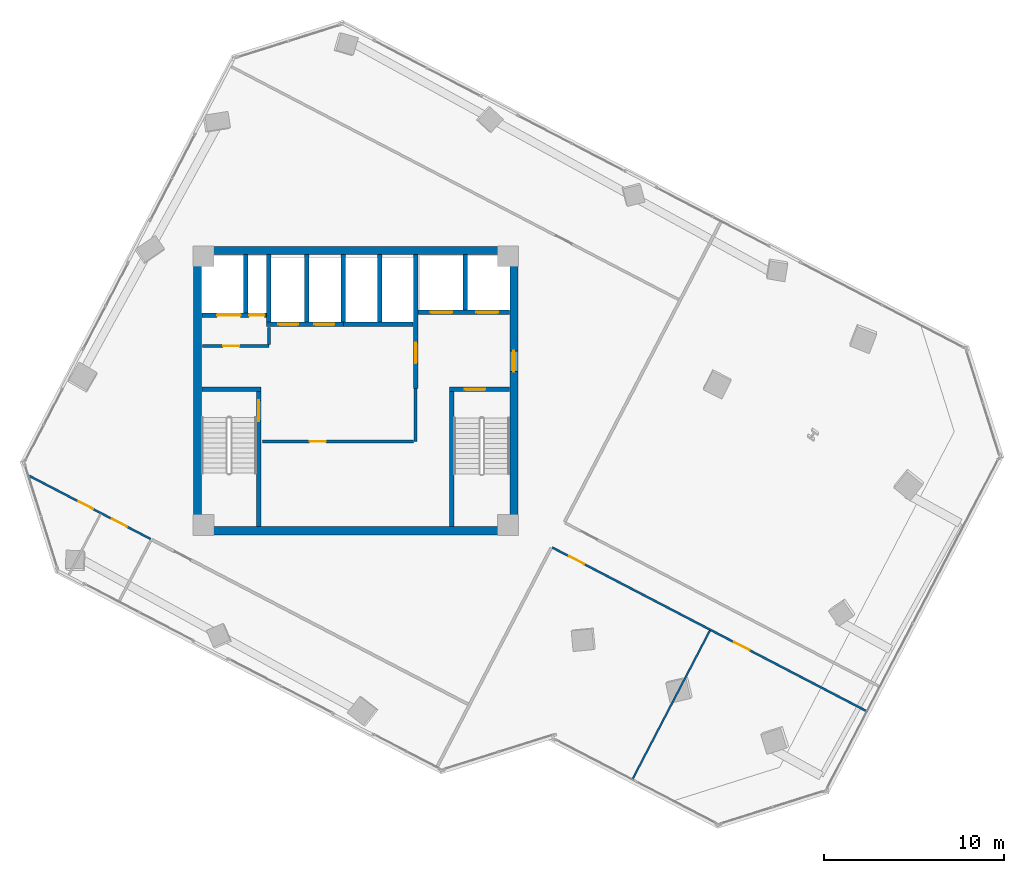
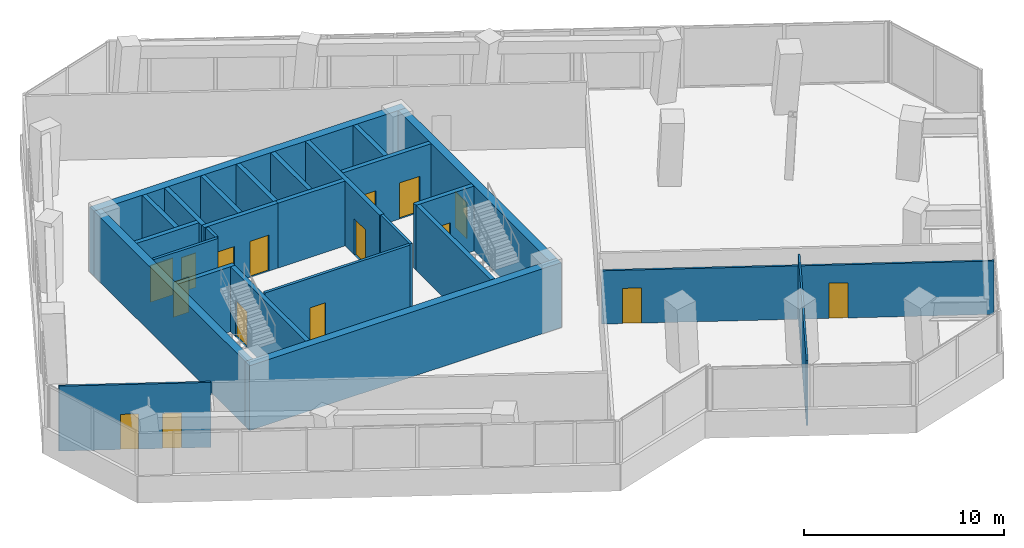
# One storey, part 17 of 22: 26 walls, 16 doors, 16 openings.
"""IFC4 building model written with IfcOpenShell, lengths in metres."""

import ifcopenshell
import ifcopenshell.guid

model = None  # the IFC model being written
_history = None  # IfcOwnerHistory: only IFC2X3 demands one
_inside = {}  # id of a spatial element -> (the spatial element, [elements in it])
_under = {}  # id of a project, library or spatial element -> (it, [spatial elements below it])
_declared = {}  # id of a project -> (the project, [libraries it declares])
_typed = {}  # id of a type object -> (the type object, [elements of that type])
_made_of = {}  # id of a material, layer set ... -> (it, [elements and type objects made of it])


def new_model(schema):
    """Start an empty IFC model of exactly this schema.

    Asked for "IFC4X3", IfcOpenShell would pick the latest addendum, in which some entities
    have other attributes; the version numbers below select the first issue.
    IFC2X3 requires an IfcOwnerHistory on every rooted entity: one is made here for all.
    """
    global model, _history
    if schema == "IFC4X3":
        model = ifcopenshell.file(schema_version=(4, 3, 0, 0))
    else:
        model = ifcopenshell.file(schema=schema)
    _inside.clear()
    _under.clear()
    _declared.clear()
    _typed.clear()
    _made_of.clear()
    _history = None
    if model.schema == "IFC2X3":
        org = make("IfcOrganization", Name="unknown")
        user = make(
            "IfcPersonAndOrganization",
            ThePerson=make("IfcPerson", FamilyName="unknown"),
            TheOrganization=org,
        )
        app = make(
            "IfcApplication",
            ApplicationDeveloper=org,
            Version="unknown",
            ApplicationFullName="unknown",
            ApplicationIdentifier="unknown",
        )
        _history = make(
            "IfcOwnerHistory",
            OwningUser=user,
            OwningApplication=app,
            ChangeAction="ADDED",
            CreationDate=0,
        )
    return model


def make(cls, **values):
    """One entity of the class cls with the attributes given. An attribute that is None is left unset."""
    return model.create_entity(
        cls, **{name: value for name, value in values.items() if value is not None}
    )


def rooted(cls, **values):
    """An entity with a GlobalId (a new one), such as an element, a storey or a relation."""
    return make(cls, GlobalId=ifcopenshell.guid.new(), OwnerHistory=_history, **values)


def si_unit(unit_type, name, prefix=None):
    """IfcSIUnit, for example si_unit("LENGTHUNIT", "METRE", prefix="MILLI")."""
    return make("IfcSIUnit", UnitType=unit_type, Prefix=prefix, Name=name)


def assignment(units):
    """IfcUnitAssignment: the units of a project."""
    return None if units is None else make("IfcUnitAssignment", Units=units)


def point(xyz):
    """IfcCartesianPoint."""
    return None if xyz is None else make("IfcCartesianPoint", Coordinates=xyz)


def direction(xyz):
    """IfcDirection."""
    return None if xyz is None else make("IfcDirection", DirectionRatios=xyz)


def frame(location, z_axis=None, x_axis=None):
    """IfcAxis2Placement3D, a coordinate frame: its origin and axes. An axis left out is left unset."""
    return make(
        "IfcAxis2Placement3D",
        Location=point(location),
        Axis=direction(z_axis),
        RefDirection=direction(x_axis),
    )


def frame_2d(location, x_axis=None):
    """IfcAxis2Placement2D, a coordinate frame in the plane: its origin and x axis."""
    return make(
        "IfcAxis2Placement2D", Location=point(location), RefDirection=direction(x_axis)
    )


def origin():
    """The frame at (0, 0, 0) with its axes left unset."""
    return frame((0.0, 0.0, 0.0))


def place(relative_to, where):
    """IfcLocalPlacement: puts the frame where relative to a parent placement (None: the world)."""
    return make(
        "IfcLocalPlacement", PlacementRelTo=relative_to, RelativePlacement=where
    )


def context(
    kind, dimensions, precision=None, world=None, true_north=None, identifier=None
):
    """IfcGeometricRepresentationContext, for example the 3D "Model" context."""
    return make(
        "IfcGeometricRepresentationContext",
        ContextIdentifier=identifier,
        ContextType=kind,
        CoordinateSpaceDimension=dimensions,
        Precision=precision,
        WorldCoordinateSystem=world,
        TrueNorth=true_north,
    )


def subcontext(parent, identifier, kind, view, scale=None):
    """IfcGeometricRepresentationSubContext, for example "Body" below "Model"."""
    return make(
        "IfcGeometricRepresentationSubContext",
        ContextIdentifier=identifier,
        ContextType=kind,
        ParentContext=parent,
        TargetScale=scale,
        TargetView=view,
    )


def project(units=None, contexts=None):
    """IfcProject with its units and contexts."""
    return rooted(
        "IfcProject",
        Name="project",
        RepresentationContexts=contexts,
        UnitsInContext=assignment(units),
    )


def spatial(cls, under=None, at=None, **own):
    """A site, building, storey or space (cls), placed at a placement, below another one or the project."""
    s = rooted(cls, ObjectPlacement=at, **own)
    if under is not None:
        _under.setdefault(under.id(), (under, []))[1].append(s)
    return s


def profile(cls, at=None, kind="AREA", **sizes):
    """A parametric profile (cls). Its sizes go by their IFC names, for example OverallWidth=200.0."""
    return make(cls, ProfileType=kind, Position=at, **sizes)


def rectangle(**sizes):
    """IfcRectangleProfileDef."""
    return profile("IfcRectangleProfileDef", **sizes)


def extrude(swept, where, along, depth):
    """IfcExtrudedAreaSolid: the profile swept, set in the frame where, extruded along a direction by depth."""
    return make(
        "IfcExtrudedAreaSolid",
        SweptArea=swept,
        Position=where,
        ExtrudedDirection=direction(along),
        Depth=depth,
    )


def shape(context_of_items, identifier, shape_type, items):
    """IfcShapeRepresentation: the items that make up one representation, for example the "Body"."""
    return make(
        "IfcShapeRepresentation",
        ContextOfItems=context_of_items,
        RepresentationIdentifier=identifier,
        RepresentationType=shape_type,
        Items=items,
    )


def source(mapping_origin, context_of_items, identifier, shape_type, items):
    """IfcRepresentationMap: a shape defined once, which mapped items show again and again."""
    return make(
        "IfcRepresentationMap",
        MappingOrigin=mapping_origin,
        MappedRepresentation=shape(context_of_items, identifier, shape_type, items),
    )


def transform(
    local_origin,
    x_axis=None,
    y_axis=None,
    z_axis=None,
    scale=None,
    scale2=None,
    scale3=None,
    uniform=True,
):
    """IfcCartesianTransformationOperator3D, or its non-uniform kind. x_axis, y_axis, z_axis: its Axis1, 2, 3."""
    if uniform:
        return make(
            "IfcCartesianTransformationOperator3D",
            Axis1=direction(x_axis),
            Axis2=direction(y_axis),
            LocalOrigin=point(local_origin),
            Scale=scale,
            Axis3=direction(z_axis),
        )
    return make(
        "IfcCartesianTransformationOperator3DnonUniform",
        Axis1=direction(x_axis),
        Axis2=direction(y_axis),
        LocalOrigin=point(local_origin),
        Scale=scale,
        Axis3=direction(z_axis),
        Scale2=scale2,
        Scale3=scale3,
    )


def mapped(mapping_source, mapping_target):
    """IfcMappedItem: shows the shape of a source again, moved by a transform."""
    return make(
        "IfcMappedItem", MappingSource=mapping_source, MappingTarget=mapping_target
    )


def material(Name=None, Category=None):
    """IfcMaterial."""
    return make("IfcMaterial", Name=Name, Category=Category)


def layer(
    of_material, thickness, ventilated=None, Name=None, Category=None, Priority=None
):
    """IfcMaterialLayer: one layer of a wall or slab, of a material (None: an air gap)."""
    return make(
        "IfcMaterialLayer",
        Material=of_material,
        LayerThickness=thickness,
        IsVentilated=ventilated,
        Name=Name,
        Category=Category,
        Priority=Priority,
    )


def layer_set(layers, Name=None):
    """IfcMaterialLayerSet."""
    return make("IfcMaterialLayerSet", MaterialLayers=layers, LayerSetName=Name)


def made_of(thing, what):
    """Note that an element or type object is made of a material, layer set ...; save() writes the relation."""
    if what is not None:
        _made_of.setdefault(what.id(), (what, []))[1].append(thing)
    return thing


def type_object(cls, material=None, **own):
    """A type object (cls), such as IfcWallType, which elements share."""
    return made_of(rooted(cls, **own), material)


def element(
    cls,
    number,
    at=None,
    inside=None,
    cuts=None,
    type_object=None,
    material=None,
    context=None,
    identifier="Body",
    shape_type=None,
    held_by="IfcProductDefinitionShape",
    body=None,
    shapes=None,
    **own,
):
    """One element of the class cls, such as IfcWall. Its Tag is "e" and its number.

    at: its placement. inside: the storey or other place that contains it. cuts: it is an
    opening in that element (IfcRelVoidsElement). A single representation is given by context,
    identifier, shape_type and body (its items); several are given by shapes. held_by: the class
    of the entity that holds the representations. save() writes the other relations.
    """
    e = rooted(cls, Tag="e%d" % number, ObjectPlacement=at, **own)
    if body is not None:
        shapes = [shape(context, identifier, shape_type, body)]
    if shapes is not None:
        e.Representation = make(held_by, Representations=shapes)
    if inside is not None:
        _inside.setdefault(inside.id(), (inside, []))[1].append(e)
    if cuts is not None:
        rooted(
            "IfcRelVoidsElement", RelatingBuildingElement=cuts, RelatedOpeningElement=e
        )
    if type_object is not None:
        _typed.setdefault(type_object.id(), (type_object, []))[1].append(e)
    return made_of(e, material)


def fill(opening, filler):
    """IfcRelFillsElement: the door or window that sits in an opening."""
    return rooted(
        "IfcRelFillsElement",
        RelatingOpeningElement=opening,
        RelatedBuildingElement=filler,
    )


def aggregate(whole, parts):
    """IfcRelAggregates: a whole, such as a stair, and the parts it consists of."""
    return rooted("IfcRelAggregates", RelatingObject=whole, RelatedObjects=parts)


def save(model, path):
    """Write the relations noted so far, then the file.

    IfcRelAggregates (storeys below a building ...), IfcRelContainedInSpatialStructure (elements
    in a storey), IfcRelDefinesByType, IfcRelAssociatesMaterial and IfcRelDeclares: one each for
    every whole, place, type object, material and project.
    """
    for whole, parts in _under.values():
        aggregate(whole, parts)
    for where, things in _inside.values():
        rooted(
            "IfcRelContainedInSpatialStructure",
            RelatedElements=things,
            RelatingStructure=where,
        )
    for kind, things in _typed.values():
        rooted("IfcRelDefinesByType", RelatedObjects=things, RelatingType=kind)
    for what, things in _made_of.values():
        rooted("IfcRelAssociatesMaterial", RelatedObjects=things, RelatingMaterial=what)
    for by, libraries in _declared.values():
        rooted("IfcRelDeclares", RelatingContext=by, RelatedDefinitions=libraries)
    model.write(path)


model = new_model("IFC4")

# Units and contexts
model_context = context("Model", 3, precision=1e-05, world=origin(), true_north=direction((0.0, 1.0)))
body_context = subcontext(model_context, "Body", "Model", "MODEL_VIEW")
ifc_project = project(units=[si_unit("LENGTHUNIT", "METRE"), si_unit("AREAUNIT", "SQUARE_METRE"), si_unit("VOLUMEUNIT", "CUBIC_METRE"), si_unit("PLANEANGLEUNIT", "RADIAN"), si_unit("MASSUNIT", "GRAM", prefix="KILO")], contexts=[model_context])

# Site, building, storey
site_placement = place(None, origin())
site = spatial("IfcSite", under=ifc_project, at=site_placement, CompositionType="ELEMENT")
building_placement = place(site_placement, origin())
building = spatial("IfcBuilding", under=site, at=building_placement, Name="Torre Montelarca", CompositionType="ELEMENT")
storey_placement = place(building_placement, frame((0.0, 0.0, 170.800048828125)))
storey = spatial("IfcBuildingStorey", under=building, at=storey_placement, Name="L38", CompositionType="ELEMENT", Elevation=170.800048828125)

# Wall, opening, door
ifc_material_1 = material(Name="Concrete C40/50", Category="concrete")
ifc_layer_1 = layer(ifc_material_1, 0.25, Name="Concrete C40/50", Category="concrete")
ifc_layer_set_1 = layer_set([ifc_layer_1], Name="Concrete C40/50")
wall_type_1 = type_object("IfcWallType", Name="CW-SHAFT-250", PredefinedType="SHEAR", material=ifc_layer_set_1)
wall_1_placement = place(storey_placement, frame((12.625, 24.4599609375, 0.0), z_axis=(0.0, 0.0, 1.0), x_axis=(0.0, 1.0, 0.0)))
wall_1 = element("IfcWall", 1, at=wall_1_placement, inside=storey, type_object=wall_type_1, Name="L38 Core Shear Wall SH-ST1-E", PredefinedType="SHEAR", context=body_context, shape_type="SweptSolid", body=[
    extrude(rectangle(XDim=7.489990234375, YDim=0.25, at=frame_2d((3.7451171875, 0.0))), origin(), (0.0, 0.0, 1.0), 3.9599609375),
])
opening_1_placement = place(wall_1_placement, frame((5.85009765625, 0.0, 0.0)))
opening_1 = element("IfcOpeningElement", 2, at=opening_1_placement, cuts=wall_1, Name="Opening FD-ST1", PredefinedType="OPENING", context=body_context, shape_type="SweptSolid", body=[
    extrude(rectangle(XDim=1.14990234375, YDim=2.199951171875, at=frame_2d((0.574951171875, 1.10009765625))), frame((0.0, 0.135009765625, 0.0), z_axis=(0.0, -1.0, 0.0), x_axis=(1.0, 0.0, 0.0)), (0.0, 0.0, 1.0), 0.27001953125),
])
ifc_material_2 = material(Name="Galvanized steel fire door", Category="steel")
door_type_1 = type_object("IfcDoorType", Name="DR-STAIR-115", OperationType="NOTDEFINED", PredefinedType="DOOR", material=ifc_material_2)
shared_shape_1 = source(origin(), body_context, "Body", "SweptSolid", [
    extrude(rectangle(XDim=1.14990234375, YDim=2.199951171875, at=frame_2d((0.574951171875, 1.10009765625))), frame((0.0, 0.02490234375, 0.0), z_axis=(0.0, -1.0, 0.0), x_axis=(1.0, 0.0, 0.0)), (0.0, 0.0, 1.0), 0.050048828125),
])
door_1_placement = place(opening_1_placement, origin())
door_1 = element("IfcDoor", 3, at=door_1_placement, inside=storey, type_object=door_type_1, Name="L38 Exit Stair ST1 Fire Door", OperationType="SINGLE_SWING_RIGHT", OverallHeight=2.199951171875, OverallWidth=1.14990234375, PredefinedType="DOOR", context=body_context, shape_type="MappedRepresentation", body=[
    mapped(shared_shape_1, transform((0.0, 0.0, 0.0), scale=1.0)),
])
fill(opening_1, door_1)

# Walls
wall_2_placement = place(storey_placement, frame((9.4599609375, 32.074951171875, 0.0), z_axis=(0.0, 0.0, 1.0), x_axis=(1.0, 0.0, 0.0)))
element("IfcWall", 4, at=wall_2_placement, inside=storey, type_object=wall_type_1, Name="L38 Core Shear Wall SH-ST1-N", PredefinedType="SHEAR", context=body_context, shape_type="SweptSolid", body=[
    extrude(rectangle(XDim=3.2900390625, YDim=0.25, at=frame_2d((1.64501953125, 0.0))), origin(), (0.0, 0.0, 1.0), 3.9599609375),
])
wall_3_placement = place(storey_placement, frame((23.31494140625, 24.4599609375, 0.0), z_axis=(0.0, 0.0, 1.0), x_axis=(0.0, 1.0, 0.0)))
element("IfcWall", 5, at=wall_3_placement, inside=storey, type_object=wall_type_1, Name="L38 Core Shear Wall SH-ST2-W", PredefinedType="SHEAR", context=body_context, shape_type="SweptSolid", body=[
    extrude(rectangle(XDim=7.489990234375, YDim=0.25, at=frame_2d((3.7451171875, 0.0))), origin(), (0.0, 0.0, 1.0), 3.9599609375),
])

# Wall, opening, door
wall_4_placement = place(storey_placement, frame((23.18994140625, 32.074951171875, 0.0), z_axis=(0.0, 0.0, 1.0), x_axis=(1.0, 0.0, 0.0)))
wall_4 = element("IfcWall", 6, at=wall_4_placement, inside=storey, type_object=wall_type_1, Name="L38 Core Shear Wall SH-ST2-N", PredefinedType="SHEAR", context=body_context, shape_type="SweptSolid", body=[
    extrude(rectangle(XDim=3.35009765625, YDim=0.25, at=frame_2d((1.675048828125, 0.0))), origin(), (0.0, 0.0, 1.0), 3.9599609375),
])
opening_2_placement = place(wall_4_placement, frame((0.85009765625, 0.0, 0.0)))
opening_2 = element("IfcOpeningElement", 7, at=opening_2_placement, cuts=wall_4, Name="Opening FD-ST1", PredefinedType="OPENING", context=body_context, shape_type="SweptSolid", body=[
    extrude(rectangle(XDim=1.14990234375, YDim=2.199951171875, at=frame_2d((0.574951171875, 1.10009765625))), frame((0.0, 0.135009765625, 0.0), z_axis=(0.0, -1.0, 0.0), x_axis=(1.0, 0.0, 0.0)), (0.0, 0.0, 1.0), 0.27001953125),
])
door_2_placement = place(opening_2_placement, origin())
door_2 = element("IfcDoor", 8, at=door_2_placement, inside=storey, type_object=door_type_1, Name="L38 Exit Stair ST2 Fire Door", OperationType="SINGLE_SWING_RIGHT", OverallHeight=2.199951171875, OverallWidth=1.14990234375, PredefinedType="DOOR", context=body_context, shape_type="MappedRepresentation", body=[
    mapped(shared_shape_1, transform((0.0, 0.0, 0.0), scale=1.0)),
])
fill(opening_2, door_2)

wall_5_placement = place(storey_placement, frame((21.320068359375, 32.1201171875, 0.0), z_axis=(0.0, 0.0, 1.0), x_axis=(0.0, 1.0, 0.0)))
wall_5 = element("IfcWall", 9, at=wall_5_placement, inside=storey, type_object=wall_type_1, Name="L38 Core Shear Wall SH-FFL-W", PredefinedType="SHEAR", context=body_context, shape_type="SweptSolid", body=[
    extrude(rectangle(XDim=7.419921875, YDim=0.25, at=frame_2d((3.7099609375, 0.0))), origin(), (0.0, 0.0, 1.0), 3.9599609375),
])
opening_3_placement = place(wall_5_placement, frame((1.39990234375, 0.0, 0.0)))
opening_3 = element("IfcOpeningElement", 10, at=opening_3_placement, cuts=wall_5, Name="Opening FD-LB1", PredefinedType="OPENING", context=body_context, shape_type="SweptSolid", body=[
    extrude(rectangle(XDim=1.14990234375, YDim=2.199951171875, at=frame_2d((0.574951171875, 1.10009765625))), frame((0.0, 0.135009765625, 0.0), z_axis=(0.0, -1.0, 0.0), x_axis=(1.0, 0.0, 0.0)), (0.0, 0.0, 1.0), 0.27001953125),
])
ifc_material_3 = material(Name="Acoustic timber-veneered fire door", Category="wood")
door_type_2 = type_object("IfcDoorType", Name="DR-LOBBY-115", OperationType="NOTDEFINED", PredefinedType="DOOR", material=ifc_material_3)
shared_shape_2 = source(origin(), body_context, "Body", "SweptSolid", [
    extrude(rectangle(XDim=1.14990234375, YDim=2.199951171875, at=frame_2d((0.574951171875, 1.10009765625))), frame((0.0, 0.02490234375, 0.0), z_axis=(0.0, -1.0, 0.0), x_axis=(1.0, 0.0, 0.0)), (0.0, 0.0, 1.0), 0.050048828125),
])
door_3_placement = place(opening_3_placement, origin())
door_3 = element("IfcDoor", 11, at=door_3_placement, inside=storey, type_object=door_type_2, Name="L38 Lift Lobby to Firefighting Lobby Smoke Door", OperationType="SINGLE_SWING_LEFT", OverallHeight=2.199951171875, OverallWidth=1.14990234375, PredefinedType="DOOR", context=body_context, shape_type="MappedRepresentation", body=[
    mapped(shared_shape_2, transform((0.0, 0.0, 0.0), scale=1.0)),
])
fill(opening_3, door_3)

# Wall, openings, doors
wall_6_placement = place(storey_placement, frame((9.4599609375, 36.179931640625, 0.0), z_axis=(0.0, 0.0, 1.0), x_axis=(1.0, 0.0, 0.0)))
wall_6 = element("IfcWall", 12, at=wall_6_placement, inside=storey, type_object=wall_type_1, Name="L38 Core Shear Wall SH-SV1-S", PredefinedType="SHEAR", context=body_context, shape_type="SweptSolid", body=[
    extrude(rectangle(XDim=3.7900390625, YDim=0.25, at=frame_2d((1.89501953125, 0.0))), origin(), (0.0, 0.0, 1.0), 3.9599609375),
])
opening_4_placement = place(wall_6_placement, frame((2.6201171875, 0.0, 0.0)))
opening_4 = element("IfcOpeningElement", 13, at=opening_4_placement, cuts=wall_6, Name="Opening FD-085", PredefinedType="OPENING", context=body_context, shape_type="SweptSolid", body=[
    extrude(rectangle(XDim=0.85009765625, YDim=2.10009765625, at=frame_2d((0.425048828125, 1.050048828125))), frame((0.0, 0.135009765625, 0.0), z_axis=(0.0, -1.0, 0.0), x_axis=(1.0, 0.0, 0.0)), (0.0, 0.0, 1.0), 0.27001953125),
])
opening_5_placement = place(wall_6_placement, frame((0.85009765625, 0.0, 0.0)))
opening_5 = element("IfcOpeningElement", 14, at=opening_5_placement, cuts=wall_6, Name="Opening LD-130", PredefinedType="OPENING", context=body_context, shape_type="SweptSolid", body=[
    extrude(rectangle(XDim=1.300048828125, YDim=2.25, at=frame_2d((0.64990234375, 1.125))), frame((0.0, 0.135009765625, 0.0), z_axis=(0.0, -1.0, 0.0), x_axis=(1.0, 0.0, 0.0)), (0.0, 0.0, 1.0), 0.27001953125),
])
ifc_material_4 = material(Name="Steel riser access fire door", Category="steel")
door_type_3 = type_object("IfcDoorType", Name="DR-RISER-085", OperationType="NOTDEFINED", PredefinedType="DOOR", material=ifc_material_4)
shared_shape_3 = source(origin(), body_context, "Body", "SweptSolid", [
    extrude(rectangle(XDim=0.85009765625, YDim=2.10009765625, at=frame_2d((0.425048828125, 1.050048828125))), frame((0.0, 0.02490234375, 0.0), z_axis=(0.0, -1.0, 0.0), x_axis=(1.0, 0.0, 0.0)), (0.0, 0.0, 1.0), 0.050048828125),
])
door_4_placement = place(opening_4_placement, origin())
door_4 = element("IfcDoor", 15, at=door_4_placement, inside=storey, type_object=door_type_3, Name="L38 Electrical Riser Shaft Access Door", OperationType="SINGLE_SWING_RIGHT", OverallHeight=2.10009765625, OverallWidth=0.85009765625, PredefinedType="DOOR", context=body_context, shape_type="MappedRepresentation", body=[
    mapped(shared_shape_3, transform((0.0, 0.0, 0.0), scale=1.0)),
])
fill(opening_4, door_4)
ifc_material_5 = material(Name="Brushed stainless steel AISI 316", Category="steel")
door_type_4 = type_object("IfcDoorType", Name="DR-LIFT-130", OperationType="SLIDING_TO_LEFT", PredefinedType="DOOR", material=ifc_material_5)
shared_shape_4 = source(origin(), body_context, "Body", "SweptSolid", [
    extrude(rectangle(XDim=1.300048828125, YDim=2.25, at=frame_2d((0.64990234375, 1.125))), frame((0.0, 0.02490234375, 0.0), z_axis=(0.0, -1.0, 0.0), x_axis=(1.0, 0.0, 0.0)), (0.0, 0.0, 1.0), 0.050048828125),
])
door_5_placement = place(opening_5_placement, origin())
door_5 = element("IfcDoor", 16, at=door_5_placement, inside=storey, type_object=door_type_4, Name="L38 Lift Landing Sliding Door SV-1", OperationType="SLIDING_TO_LEFT", OverallHeight=2.25, OverallWidth=1.300048828125, PredefinedType="DOOR", context=body_context, shape_type="MappedRepresentation", body=[
    mapped(shared_shape_4, transform((0.0, 0.0, 0.0), scale=1.0)),
])
fill(opening_5, door_5)

# Wall
wall_7_placement = place(storey_placement, frame((11.89990234375, 36.31005859375, 0.0), z_axis=(0.0, 0.0, 1.0), x_axis=(0.0, 1.0, 0.0)))
element("IfcWall", 17, at=wall_7_placement, inside=storey, type_object=wall_type_1, Name="L38 Core Shear Wall SH-SV1-E", PredefinedType="SHEAR", context=body_context, shape_type="SweptSolid", body=[
    extrude(rectangle(XDim=3.22998046875, YDim=0.25, at=frame_2d((1.614990234375, 0.0))), origin(), (0.0, 0.0, 1.0), 3.9599609375),
])

# Wall, openings, doors
wall_8_placement = place(storey_placement, frame((21.449951171875, 36.35009765625, 0.0), z_axis=(0.0, 0.0, 1.0), x_axis=(1.0, 0.0, 0.0)))
wall_8 = element("IfcWall", 18, at=wall_8_placement, inside=storey, type_object=wall_type_1, Name="L38 Core Shear Wall SH-FF-S", PredefinedType="SHEAR", context=body_context, shape_type="SweptSolid", body=[
    extrude(rectangle(XDim=5.090087890625, YDim=0.25, at=frame_2d((2.544921875, 0.0))), origin(), (0.0, 0.0, 1.0), 3.9599609375),
])
opening_6_placement = place(wall_8_placement, frame((0.699951171875, 0.0, 0.0)))
opening_6 = element("IfcOpeningElement", 19, at=opening_6_placement, cuts=wall_8, Name="Opening LD-120", PredefinedType="OPENING", context=body_context, shape_type="SweptSolid", body=[
    extrude(rectangle(XDim=1.199951171875, YDim=2.199951171875, at=frame_2d((0.60009765625, 1.10009765625))), frame((0.0, 0.135009765625, 0.0), z_axis=(0.0, -1.0, 0.0), x_axis=(1.0, 0.0, 0.0)), (0.0, 0.0, 1.0), 0.27001953125),
])
opening_7_placement = place(wall_8_placement, frame((3.25, 0.0, 0.0)))
opening_7 = element("IfcOpeningElement", 20, at=opening_7_placement, cuts=wall_8, Name="Opening LD-120", PredefinedType="OPENING", context=body_context, shape_type="SweptSolid", body=[
    extrude(rectangle(XDim=1.199951171875, YDim=2.199951171875, at=frame_2d((0.60009765625, 1.10009765625))), frame((0.0, 0.135009765625, 0.0), z_axis=(0.0, -1.0, 0.0), x_axis=(1.0, 0.0, 0.0)), (0.0, 0.0, 1.0), 0.27001953125),
])
door_type_5 = type_object("IfcDoorType", Name="DR-LIFT-120", OperationType="SLIDING_TO_RIGHT", PredefinedType="DOOR", material=ifc_material_5)
shared_shape_5 = source(origin(), body_context, "Body", "SweptSolid", [
    extrude(rectangle(XDim=1.199951171875, YDim=2.199951171875, at=frame_2d((0.60009765625, 1.10009765625))), frame((0.0, 0.02490234375, 0.0), z_axis=(0.0, -1.0, 0.0), x_axis=(1.0, 0.0, 0.0)), (0.0, 0.0, 1.0), 0.050048828125),
])
door_6_placement = place(opening_6_placement, origin())
door_6 = element("IfcDoor", 21, at=door_6_placement, inside=storey, type_object=door_type_5, Name="L38 Lift Landing Sliding Door FF-1", OperationType="SLIDING_TO_LEFT", OverallHeight=2.199951171875, OverallWidth=1.199951171875, PredefinedType="DOOR", context=body_context, shape_type="MappedRepresentation", body=[
    mapped(shared_shape_5, transform((0.0, 0.0, 0.0), scale=1.0)),
])
fill(opening_6, door_6)
door_7_placement = place(opening_7_placement, origin())
door_7 = element("IfcDoor", 22, at=door_7_placement, inside=storey, type_object=door_type_5, Name="L38 Lift Landing Sliding Door FF-2", OperationType="SLIDING_TO_RIGHT", OverallHeight=2.199951171875, OverallWidth=1.199951171875, PredefinedType="DOOR", context=body_context, shape_type="MappedRepresentation", body=[
    mapped(shared_shape_5, transform((0.0, 0.0, 0.0), scale=1.0)),
])
fill(opening_7, door_7)

# Wall
wall_9_placement = place(storey_placement, frame((24.080078125, 36.47998046875, 0.0), z_axis=(0.0, 0.0, 1.0), x_axis=(0.0, 1.0, 0.0)))
element("IfcWall", 23, at=wall_9_placement, inside=storey, type_object=wall_type_1, Name="L38 Core Shear Wall SH-FF-M", PredefinedType="SHEAR", context=body_context, shape_type="SweptSolid", body=[
    extrude(rectangle(XDim=3.06005859375, YDim=0.25, at=frame_2d((1.530029296875, 0.0))), origin(), (0.0, 0.0, 1.0), 3.9599609375),
])

# Wall, openings, doors
wall_10_placement = place(storey_placement, frame((13.06005859375, 35.679931640625, 0.0), z_axis=(0.0, 0.0, 1.0), x_axis=(1.0, 0.0, 0.0)))
wall_10 = element("IfcWall", 24, at=wall_10_placement, inside=storey, type_object=wall_type_1, Name="L38 Core Shear Wall SH-PLM-S", PredefinedType="SHEAR", context=body_context, shape_type="SweptSolid", body=[
    extrude(rectangle(XDim=4.25, YDim=0.25, at=frame_2d((2.125, 0.0))), origin(), (0.0, 0.0, 1.0), 3.9599609375),
])
opening_8_placement = place(wall_10_placement, frame((0.64990234375, 0.0, 0.0)))
opening_8 = element("IfcOpeningElement", 25, at=opening_8_placement, cuts=wall_10, Name="Opening LD-110", PredefinedType="OPENING", context=body_context, shape_type="SweptSolid", body=[
    extrude(rectangle(XDim=1.10009765625, YDim=2.199951171875, at=frame_2d((0.550048828125, 1.10009765625))), frame((0.0, 0.135009765625, 0.0), z_axis=(0.0, -1.0, 0.0), x_axis=(1.0, 0.0, 0.0)), (0.0, 0.0, 1.0), 0.27001953125),
])
opening_9_placement = place(wall_10_placement, frame((2.64990234375, 0.0, 0.0)))
opening_9 = element("IfcOpeningElement", 26, at=opening_9_placement, cuts=wall_10, Name="Opening LD-110", PredefinedType="OPENING", context=body_context, shape_type="SweptSolid", body=[
    extrude(rectangle(XDim=1.10009765625, YDim=2.199951171875, at=frame_2d((0.550048828125, 1.10009765625))), frame((0.0, 0.135009765625, 0.0), z_axis=(0.0, -1.0, 0.0), x_axis=(1.0, 0.0, 0.0)), (0.0, 0.0, 1.0), 0.27001953125),
])
door_type_6 = type_object("IfcDoorType", Name="DR-LIFT-110", OperationType="SLIDING_TO_LEFT", PredefinedType="DOOR", material=ifc_material_5)
shared_shape_6 = source(origin(), body_context, "Body", "SweptSolid", [
    extrude(rectangle(XDim=1.10009765625, YDim=2.199951171875, at=frame_2d((0.550048828125, 1.10009765625))), frame((0.0, 0.02490234375, 0.0), z_axis=(0.0, -1.0, 0.0), x_axis=(1.0, 0.0, 0.0)), (0.0, 0.0, 1.0), 0.050048828125),
])
door_8_placement = place(opening_8_placement, origin())
door_8 = element("IfcDoor", 27, at=door_8_placement, inside=storey, type_object=door_type_6, Name="L38 Lift Landing Sliding Door PL-M1", OperationType="SLIDING_TO_LEFT", OverallHeight=2.199951171875, OverallWidth=1.10009765625, PredefinedType="DOOR", context=body_context, shape_type="MappedRepresentation", body=[
    mapped(shared_shape_6, transform((0.0, 0.0, 0.0), scale=1.0)),
])
fill(opening_8, door_8)
door_9_placement = place(opening_9_placement, origin())
door_9 = element("IfcDoor", 28, at=door_9_placement, inside=storey, type_object=door_type_6, Name="L38 Lift Landing Sliding Door PL-M2", OperationType="SLIDING_TO_RIGHT", OverallHeight=2.199951171875, OverallWidth=1.10009765625, PredefinedType="DOOR", context=body_context, shape_type="MappedRepresentation", body=[
    mapped(shared_shape_6, transform((0.0, 0.0, 0.0), scale=1.0)),
])
fill(opening_9, door_9)

# Walls
for number, where, z_axis, x_axis, name in (
    (29, (13.179931640625, 35.81005859375, 0.0), (0.0, 0.0, 1.0), (0.0, 1.0, 0.0), "L38 Core Shear Wall SH-PLM-W"),
    (30, (15.280029296875, 35.81005859375, 0.0), (0.0, 0.0, 1.0), (0.0, 1.0, 0.0), "L38 Core Shear Wall SH-PLM-M"),
):
    element("IfcWall", number, at=place(storey_placement, frame(where, z_axis=z_axis, x_axis=x_axis)), inside=storey, type_object=wall_type_1, Name=name, PredefinedType="SHEAR", context=body_context, shape_type="SweptSolid", body=[
        extrude(rectangle(XDim=3.72998046875, YDim=0.25, at=frame_2d((1.864990234375, 0.0))), origin(), (0.0, 0.0, 1.0), 3.9599609375),
    ])
wall_11_placement = place(storey_placement, frame((17.320068359375, 35.679931640625, 0.0), z_axis=(0.0, 0.0, 1.0), x_axis=(1.0, 0.0, 0.0)))
element("IfcWall", 31, at=wall_11_placement, inside=storey, type_object=wall_type_1, Name="L38 Core Shear Wall SH-PLH-S", PredefinedType="SHEAR", context=body_context, shape_type="SweptSolid", body=[
    extrude(rectangle(XDim=3.869873046875, YDim=0.25, at=frame_2d((1.93505859375, 0.0))), origin(), (0.0, 0.0, 1.0), 3.9599609375),
])
for number, where, z_axis, x_axis, name in (
    (32, (17.320068359375, 35.81005859375, 0.0), (0.0, 0.0, 1.0), (0.0, 1.0, 0.0), "L38 Core Shear Wall SH-PLH-W"),
    (33, (19.320068359375, 35.81005859375, 0.0), (0.0, 0.0, 1.0), (0.0, 1.0, 0.0), "L38 Core Shear Wall SH-PLH-M"),
):
    element("IfcWall", number, at=place(storey_placement, frame(where, z_axis=z_axis, x_axis=x_axis)), inside=storey, type_object=wall_type_1, Name=name, PredefinedType="SHEAR", context=body_context, shape_type="SweptSolid", body=[
        extrude(rectangle(XDim=3.72998046875, YDim=0.25, at=frame_2d((1.864990234375, 0.0))), origin(), (0.0, 0.0, 1.0), 3.9599609375),
    ])
ifc_material_6 = material(Name="Concrete C55/67", Category="concrete")
ifc_layer_2 = layer(ifc_material_6, 0.449951171875, Name="Concrete C55/67", Category="concrete")
ifc_layer_set_2 = layer_set([ifc_layer_2], Name="Concrete C55/67")
wall_type_2 = type_object("IfcWallType", Name="CW-SHEAR-450", PredefinedType="SHEAR", material=ifc_layer_set_2)
wall_12_placement = place(storey_placement, frame((9.22509765625, 24.449951171875, 0.0), z_axis=(0.0, 0.0, 1.0), x_axis=(0.0, 1.0, 0.0)))
element("IfcWall", 34, at=wall_12_placement, inside=storey, type_object=wall_type_2, Name="L38 Core Shear Wall CW-W", PredefinedType="SHEAR", context=body_context, shape_type="SweptSolid", body=[
    extrude(rectangle(XDim=15.10009765625, YDim=0.449951171875, at=frame_2d((7.550048828125, 0.0))), origin(), (0.0, 0.0, 1.0), 3.9599609375),
])

# Wall, opening, door
wall_13_placement = place(storey_placement, frame((26.77490234375, 24.449951171875, 0.0), z_axis=(0.0, 0.0, 1.0), x_axis=(0.0, 1.0, 0.0)))
wall_13 = element("IfcWall", 35, at=wall_13_placement, inside=storey, type_object=wall_type_2, Name="L38 Core Shear Wall CW-E", PredefinedType="SHEAR", context=body_context, shape_type="SweptSolid", body=[
    extrude(rectangle(XDim=15.10009765625, YDim=0.449951171875, at=frame_2d((7.550048828125, 0.0))), origin(), (0.0, 0.0, 1.0), 3.9599609375),
])
opening_10_placement = place(wall_13_placement, frame((8.60009765625, 0.0, 0.0)))
opening_10 = element("IfcOpeningElement", 36, at=opening_10_placement, cuts=wall_13, Name="Opening FD-LB1", PredefinedType="OPENING", context=body_context, shape_type="SweptSolid", body=[
    extrude(rectangle(XDim=1.14990234375, YDim=2.199951171875, at=frame_2d((0.574951171875, 1.10009765625))), frame((0.0, 0.23486328125, 0.0), z_axis=(0.0, -1.0, 0.0), x_axis=(1.0, 0.0, 0.0)), (0.0, 0.0, 1.0), 0.469970703125),
])
door_10_placement = place(opening_10_placement, origin())
door_10 = element("IfcDoor", 37, at=door_10_placement, inside=storey, type_object=door_type_2, Name="L38 Firefighting Lift Lobby Corridor Fire Door", OperationType="SINGLE_SWING_RIGHT", OverallHeight=2.199951171875, OverallWidth=1.14990234375, PredefinedType="DOOR", context=body_context, shape_type="MappedRepresentation", body=[
    mapped(shared_shape_2, transform((0.0, 0.0, 0.0), scale=1.0)),
])
fill(opening_10, door_10)

# Walls
for number, where, z_axis, x_axis, name in (
    (38, (9.0, 24.22509765625, 0.0), (0.0, 0.0, 1.0), (1.0, 0.0, 0.0), "L38 Core Shear Wall CW-S1"),
    (39, (9.0, 39.77490234375, 0.0), (0.0, 0.0, 1.0), (1.0, 0.0, 0.0), "L38 Core Shear Wall CW-N1"),
):
    element("IfcWall", number, at=place(storey_placement, frame(where, z_axis=z_axis, x_axis=x_axis)), inside=storey, type_object=wall_type_2, Name=name, PredefinedType="SHEAR", context=body_context, shape_type="SweptSolid", body=[
        extrude(rectangle(XDim=18.0, YDim=0.449951171875, at=frame_2d((9.0, 0.0))), origin(), (0.0, 0.0, 1.0), 3.9599609375),
    ])

# Wall, opening, door
ifc_material_7 = material(Name="Gypsum plasterboard on steel stud", Category="steel")
ifc_layer_3 = layer(ifc_material_7, 0.159912109375, Name="Gypsum plasterboard on steel stud", Category="steel")
ifc_layer_set_3 = layer_set([ifc_layer_3], Name="Gypsum plasterboard on steel stud")
wall_type_3 = type_object("IfcWallType", Name="PW-FIRE-160", PredefinedType="PARTITIONING", material=ifc_layer_set_3)
wall_14_placement = place(storey_placement, frame((9.489990234375, 34.47998046875, 0.0), z_axis=(0.0, 0.0, 1.0), x_axis=(1.0, 0.0, 0.0)))
wall_14 = element("IfcWall", 40, at=wall_14_placement, inside=storey, type_object=wall_type_3, Name="L38 Interior Partition CW-L38-SVS", PredefinedType="PARTITIONING", context=body_context, shape_type="SweptSolid", body=[
    extrude(rectangle(XDim=3.699951171875, YDim=0.159912109375, at=frame_2d((1.85009765625, 0.0))), origin(), (0.0, 0.0, 1.0), 3.9599609375),
])
opening_11_placement = place(wall_14_placement, frame((1.14990234375, 0.0, 0.0)))
opening_11 = element("IfcOpeningElement", 41, at=opening_11_placement, cuts=wall_14, Name="Opening FD-090", PredefinedType="OPENING", context=body_context, shape_type="SweptSolid", body=[
    extrude(rectangle(XDim=0.89990234375, YDim=2.14990234375, at=frame_2d((0.449951171875, 1.074951171875))), frame((0.0, 0.08984375, 0.0), z_axis=(0.0, -1.0, 0.0), x_axis=(1.0, 0.0, 0.0)), (0.0, 0.0, 1.0), 0.179931640625),
])
ifc_material_8 = material(Name="Steel service fire door", Category="steel")
door_type_7 = type_object("IfcDoorType", Name="DR-FIRE-090", OperationType="NOTDEFINED", PredefinedType="DOOR", material=ifc_material_8)
shared_shape_7 = source(origin(), body_context, "Body", "SweptSolid", [
    extrude(rectangle(XDim=0.89990234375, YDim=2.14990234375, at=frame_2d((0.449951171875, 1.074951171875))), frame((0.0, 0.02490234375, 0.0), z_axis=(0.0, -1.0, 0.0), x_axis=(1.0, 0.0, 0.0)), (0.0, 0.0, 1.0), 0.050048828125),
])
door_11_placement = place(opening_11_placement, origin())
door_11 = element("IfcDoor", 42, at=door_11_placement, inside=storey, type_object=door_type_7, Name="L38 Interior Door 01", OperationType="SINGLE_SWING_RIGHT", OverallHeight=2.14990234375, OverallWidth=0.89990234375, PredefinedType="DOOR", context=body_context, shape_type="MappedRepresentation", body=[
    mapped(shared_shape_7, transform((0.0, 0.0, 0.0), scale=1.0)),
])
fill(opening_11, door_11)

# Wall
wall_15_placement = place(storey_placement, frame((13.199951171875, 34.570068359375, 0.0), z_axis=(0.0, 0.0, 1.0), x_axis=(0.0, 1.0, 0.0)))
element("IfcWall", 43, at=wall_15_placement, inside=storey, type_object=wall_type_3, Name="L38 Interior Partition CW-L38-SVE", PredefinedType="PARTITIONING", context=body_context, shape_type="SweptSolid", body=[
    extrude(rectangle(XDim=0.93994140625, YDim=0.159912109375, at=frame_2d((0.469970703125, 0.0))), origin(), (0.0, 0.0, 1.0), 3.9599609375),
])

# Wall, opening, door
wall_16_placement = place(storey_placement, frame((12.840087890625, 29.179931640625, 0.0), z_axis=(0.0, 0.0, 1.0), x_axis=(1.0, 0.0, 0.0)))
wall_16 = element("IfcWall", 44, at=wall_16_placement, inside=storey, type_object=wall_type_3, Name="L38 Interior Partition CW-L38-FRDN", PredefinedType="PARTITIONING", context=body_context, shape_type="SweptSolid", body=[
    extrude(rectangle(XDim=8.369873046875, YDim=0.159912109375, at=frame_2d((4.18505859375, 0.0))), origin(), (0.0, 0.0, 1.0), 3.9599609375),
])
opening_12_placement = place(wall_16_placement, frame((2.60009765625, 0.0, 0.0)))
opening_12 = element("IfcOpeningElement", 45, at=opening_12_placement, cuts=wall_16, Name="Opening FD-090", PredefinedType="OPENING", context=body_context, shape_type="SweptSolid", body=[
    extrude(rectangle(XDim=0.89990234375, YDim=2.14990234375, at=frame_2d((0.449951171875, 1.074951171875))), frame((0.0, 0.08984375, 0.0), z_axis=(0.0, -1.0, 0.0), x_axis=(1.0, 0.0, 0.0)), (0.0, 0.0, 1.0), 0.179931640625),
])
door_12_placement = place(opening_12_placement, origin())
door_12 = element("IfcDoor", 46, at=door_12_placement, inside=storey, type_object=door_type_7, Name="L38 Interior Door 02", OperationType="SINGLE_SWING_LEFT", OverallHeight=2.14990234375, OverallWidth=0.89990234375, PredefinedType="DOOR", context=body_context, shape_type="MappedRepresentation", body=[
    mapped(shared_shape_7, transform((0.0, 0.0, 0.0), scale=1.0)),
])
fill(opening_12, door_12)

# Walls
wall_17_placement = place(storey_placement, frame((21.320068359375, 29.18994140625, 0.0), z_axis=(0.0, 0.0, 1.0), x_axis=(0.0, 1.0, 0.0)))
element("IfcWall", 47, at=wall_17_placement, inside=storey, type_object=wall_type_3, Name="L38 Interior Partition CW-L38-FRE", PredefinedType="PARTITIONING", context=body_context, shape_type="SweptSolid", body=[
    extrude(rectangle(XDim=2.920166015625, YDim=0.159912109375, at=frame_2d((1.4599609375, 0.0))), origin(), (0.0, 0.0, 1.0), 3.9599609375),
])
ifc_material_9 = material(Name="Acoustic laminated glass partition", Category="glass")
ifc_layer_4 = layer(ifc_material_9, 0.10009765625, Name="Acoustic laminated glass partition", Category="glass")
ifc_layer_set_4 = layer_set([ifc_layer_4], Name="Acoustic laminated glass partition")
wall_type_4 = type_object("IfcWallType", Name="PW-GLAZ-100", PredefinedType="PARTITIONING", material=ifc_layer_set_4)
wall_18_placement = place(storey_placement, frame((33.3681640625, 10.466796875, 0.0), z_axis=(0.0, 0.0, 1.0), x_axis=(0.461728758034, 0.887021168859, 0.0)))
element("IfcWall", 48, at=wall_18_placement, inside=storey, type_object=wall_type_4, Name="L38 Interior Partition W-L38-SEDIV-1", PredefinedType="PARTITIONING", context=body_context, shape_type="SweptSolid", body=[
    extrude(rectangle(XDim=9.280029296875, YDim=0.10009765625, at=frame_2d((4.64013671875, 0.0))), origin(), (0.0, 0.0, 1.0), 3.9599609375),
])

# Wall, openings, doors
ifc_layer_5 = layer(ifc_material_7, 0.114990234375, Name="Gypsum plasterboard on steel stud", Category="steel")
ifc_layer_set_5 = layer_set([ifc_layer_5], Name="Gypsum plasterboard on steel stud")
wall_type_5 = type_object("IfcWallType", Name="PW-PART-115", PredefinedType="PARTITIONING", material=ifc_layer_set_5)
wall_19_placement = place(storey_placement, frame((-0.114990234375, 27.277099609375, 0.0), z_axis=(0.0, 0.0, 1.0), x_axis=(0.887004800346, -0.461760202012, 0.0)))
wall_19 = element("IfcWall", 49, at=wall_19_placement, inside=storey, type_object=wall_type_5, Name="L38 Interior Partition W-L38-WCN", PredefinedType="PARTITIONING", context=body_context, shape_type="SweptSolid", body=[
    extrude(rectangle(XDim=7.601806640625, YDim=0.114990234375, at=frame_2d((3.80078125, 0.0))), origin(), (0.0, 0.0, 1.0), 3.9599609375),
])
opening_13_placement = place(wall_19_placement, frame((3.080078125, 0.0, 0.0)))
opening_13 = element("IfcOpeningElement", 50, at=opening_13_placement, cuts=wall_19, Name="Opening ID-090", PredefinedType="OPENING", context=body_context, shape_type="SweptSolid", body=[
    extrude(rectangle(XDim=0.89990234375, YDim=2.14990234375, at=frame_2d((0.449951171875, 1.074951171875))), frame((0.0, 0.0673828125, 0.0), z_axis=(0.0, -1.0, 0.0), x_axis=(1.0, 0.0, 0.0)), (0.0, 0.0, 1.0), 0.135009765625),
])
opening_14_placement = place(wall_19_placement, frame((5.179931640625, 0.0, 0.0)))
opening_14 = element("IfcOpeningElement", 51, at=opening_14_placement, cuts=wall_19, Name="Opening ID-095", PredefinedType="OPENING", context=body_context, shape_type="SweptSolid", body=[
    extrude(rectangle(XDim=0.949951171875, YDim=2.14990234375, at=frame_2d((0.47509765625, 1.074951171875))), frame((0.0, 0.0673828125, 0.0), z_axis=(0.0, -1.0, 0.0), x_axis=(1.0, 0.0, 0.0)), (0.0, 0.0, 1.0), 0.135009765625),
])
ifc_material_10 = material(Name="Hardwood acoustic timber veneer", Category="wood")
door_type_8 = type_object("IfcDoorType", Name="DR-INT-090", OperationType="NOTDEFINED", PredefinedType="DOOR", material=ifc_material_10)
shared_shape_8 = source(origin(), body_context, "Body", "SweptSolid", [
    extrude(rectangle(XDim=0.89990234375, YDim=2.14990234375, at=frame_2d((0.449951171875, 1.074951171875))), frame((0.0, 0.02490234375, 0.0), z_axis=(0.0, -1.0, 0.0), x_axis=(1.0, 0.0, 0.0)), (0.0, 0.0, 1.0), 0.050048828125),
])
door_13_placement = place(opening_13_placement, origin())
door_13 = element("IfcDoor", 52, at=door_13_placement, inside=storey, type_object=door_type_8, Name="L38 Interior Door 03", OperationType="SINGLE_SWING_LEFT", OverallHeight=2.14990234375, OverallWidth=0.89990234375, PredefinedType="DOOR", context=body_context, shape_type="MappedRepresentation", body=[
    mapped(shared_shape_8, transform((0.0, 0.0, 0.0), scale=1.0)),
])
fill(opening_13, door_13)
door_type_9 = type_object("IfcDoorType", Name="DR-INT-095", OperationType="NOTDEFINED", PredefinedType="DOOR", material=ifc_material_10)
shared_shape_9 = source(origin(), body_context, "Body", "SweptSolid", [
    extrude(rectangle(XDim=0.949951171875, YDim=2.14990234375, at=frame_2d((0.47509765625, 1.074951171875))), frame((0.0, 0.02490234375, 0.0), z_axis=(0.0, -1.0, 0.0), x_axis=(1.0, 0.0, 0.0)), (0.0, 0.0, 1.0), 0.050048828125),
])
door_14_placement = place(opening_14_placement, origin())
door_14 = element("IfcDoor", 53, at=door_14_placement, inside=storey, type_object=door_type_9, Name="L38 Interior Door 04", OperationType="SINGLE_SWING_RIGHT", OverallHeight=2.14990234375, OverallWidth=0.949951171875, PredefinedType="DOOR", context=body_context, shape_type="MappedRepresentation", body=[
    mapped(shared_shape_9, transform((0.0, 0.0, 0.0), scale=1.0)),
])
fill(opening_14, door_14)

wall_20_placement = place(storey_placement, frame((28.899169921875, 23.300537109375, 0.0), z_axis=(0.0, 0.0, 1.0), x_axis=(0.887006056854, -0.461757788353, 0.0)))
wall_20 = element("IfcWall", 54, at=wall_20_placement, inside=storey, type_object=wall_type_5, Name="L38 Interior Partition W-L38-SE-N", PredefinedType="PARTITIONING", context=body_context, shape_type="SweptSolid", body=[
    extrude(rectangle(XDim=19.639892578125, YDim=0.114990234375, at=frame_2d((9.81982421875, 0.0))), origin(), (0.0, 0.0, 1.0), 3.25244140625),
])
opening_15_placement = place(wall_20_placement, frame((1.050048828125, 0.0, 0.0)))
opening_15 = element("IfcOpeningElement", 55, at=opening_15_placement, cuts=wall_20, Name="Opening ID-095", PredefinedType="OPENING", context=body_context, shape_type="SweptSolid", body=[
    extrude(rectangle(XDim=0.949951171875, YDim=2.14990234375, at=frame_2d((0.47509765625, 1.074951171875))), frame((0.0, 0.0673828125, 0.0), z_axis=(0.0, -1.0, 0.0), x_axis=(1.0, 0.0, 0.0)), (0.0, 0.0, 1.0), 0.135009765625),
])
opening_16_placement = place(wall_20_placement, frame((11.3798828125, 0.0, 0.0)))
opening_16 = element("IfcOpeningElement", 56, at=opening_16_placement, cuts=wall_20, Name="Opening ID-095", PredefinedType="OPENING", context=body_context, shape_type="SweptSolid", body=[
    extrude(rectangle(XDim=0.949951171875, YDim=2.14990234375, at=frame_2d((0.47509765625, 1.074951171875))), frame((0.0, 0.0673828125, 0.0), z_axis=(0.0, -1.0, 0.0), x_axis=(1.0, 0.0, 0.0)), (0.0, 0.0, 1.0), 0.135009765625),
])
door_15_placement = place(opening_15_placement, origin())
door_15 = element("IfcDoor", 57, at=door_15_placement, inside=storey, type_object=door_type_9, Name="L38 Interior Door 08", OperationType="SINGLE_SWING_LEFT", OverallHeight=2.14990234375, OverallWidth=0.949951171875, PredefinedType="DOOR", context=body_context, shape_type="MappedRepresentation", body=[
    mapped(shared_shape_9, transform((0.0, 0.0, 0.0), scale=1.0)),
])
fill(opening_15, door_15)
door_16_placement = place(opening_16_placement, origin())
door_16 = element("IfcDoor", 58, at=door_16_placement, inside=storey, type_object=door_type_9, Name="L38 Interior Door 09", OperationType="SINGLE_SWING_RIGHT", OverallHeight=2.14990234375, OverallWidth=0.949951171875, PredefinedType="DOOR", context=body_context, shape_type="MappedRepresentation", body=[
    mapped(shared_shape_9, transform((0.0, 0.0, 0.0), scale=1.0)),
])
fill(opening_16, door_16)

save(model, "model.ifc")
